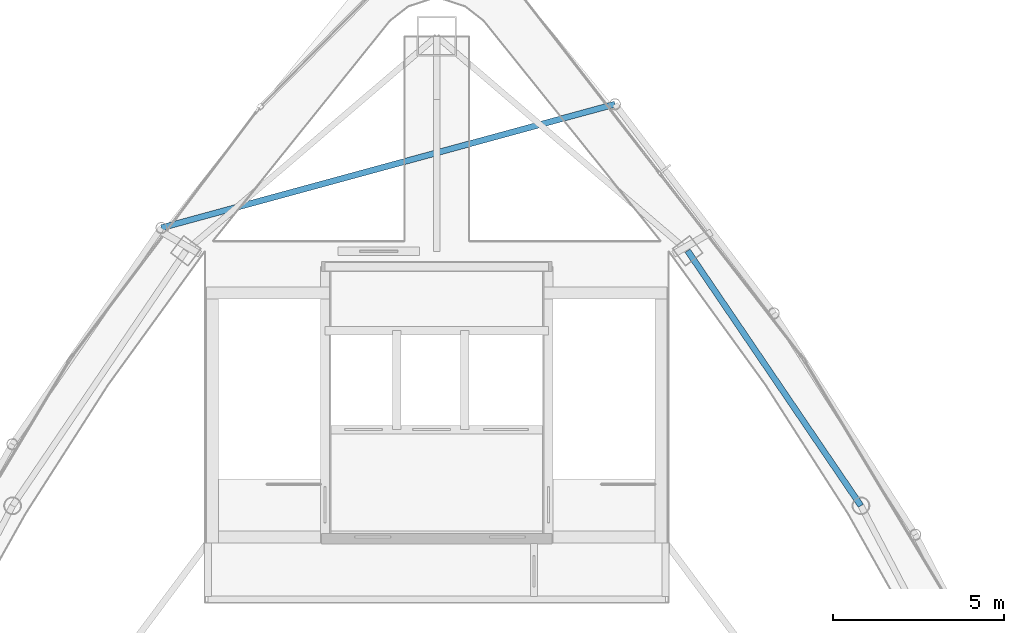
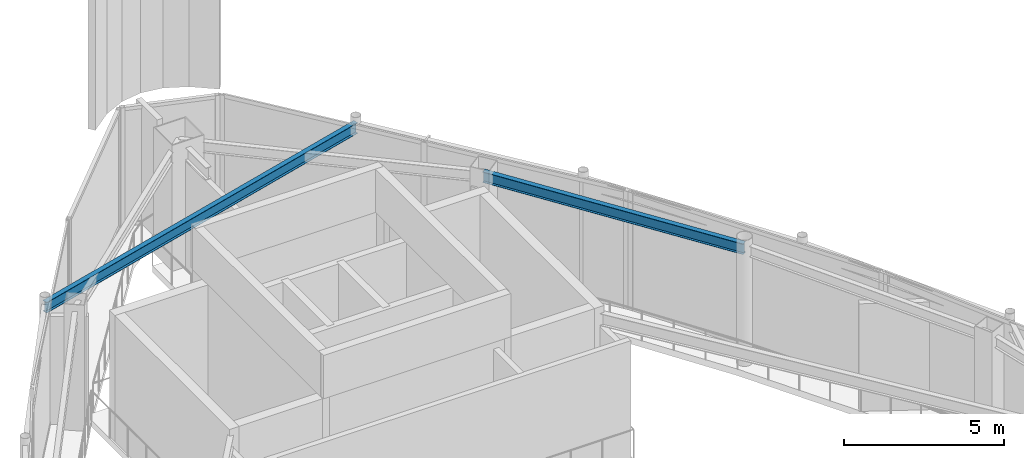
# One storey, part 9 of 18: 2 beams.
"""IFC4 building model written with IfcOpenShell, lengths in metres."""

from ifc_helpers import new_model, si_unit, direction, frame, origin, origin_2d, place, context, subcontext, project, spatial, i_section, extrude, material, material_profile, profile_set, type_object, element, save


model = new_model("IFC4")

# Units and contexts
model_context = context("Model", 3, precision=1e-05, world=origin(), true_north=direction((0.0, 1.0)))
body_context = subcontext(model_context, "Body", "Model", "MODEL_VIEW")
ifc_project = project(units=[si_unit("LENGTHUNIT", "METRE"), si_unit("AREAUNIT", "SQUARE_METRE"), si_unit("VOLUMEUNIT", "CUBIC_METRE"), si_unit("PLANEANGLEUNIT", "RADIAN"), si_unit("MASSUNIT", "GRAM", prefix="KILO")], contexts=[model_context])

# Site, building, storey
site_placement = place(None, origin())
site = spatial("IfcSite", under=ifc_project, at=site_placement, CompositionType="ELEMENT")
building_placement = place(site_placement, origin())
building = spatial("IfcBuilding", under=site, at=building_placement, Name="Orvanel Arch Residences", CompositionType="ELEMENT")
storey_placement = place(building_placement, frame((0.0, 0.0, 310.10009765625)))
storey = spatial("IfcBuildingStorey", under=building, at=storey_placement, Name="L86", CompositionType="ELEMENT", Elevation=310.10009765625)

# Beams
ifc_material = material(Name="Structural steel AS/NZS 3679.1 Grade 300 (300 MPa)", Category="steel")
ifc_material_profile_1 = material_profile(ifc_material, i_section(OverallWidth=0.177978515625, OverallDepth=0.406005859375, WebThickness=0.0078125, FlangeThickness=0.0126953125, at=origin_2d()), Name="410UB59.7")
ifc_profile_set_1 = profile_set([ifc_material_profile_1], Name="Structural steel AS/NZS 3679.1 Grade 300 (300 MPa)")
beam_type_1 = type_object("IfcBeamType", Name="OB-410UB", PredefinedType="SPANDREL", material=ifc_profile_set_1)
beam_1_placement = place(storey_placement, frame((45.430908203125, 27.64111328125, 4.3369140625), z_axis=(-0.562154793153, 0.827032035978, 0.0), x_axis=(-0.827032035978, -0.562154793153, 0.0)))
element("IfcBeam", 1, at=beam_1_placement, inside=storey, type_object=beam_type_1, Name="L86 Perimeter Spandrel Beam 08", PredefinedType="SPANDREL", context=body_context, shape_type="SweptSolid", body=[
    extrude(i_section(OverallWidth=0.177978515625, OverallDepth=0.406005859375, WebThickness=0.0078125, FlangeThickness=0.0126953125, at=origin_2d()), origin(), (0.0, 0.0, 1.0), 9.03466796875),
])
ifc_material_profile_2 = material_profile(ifc_material, i_section(OverallWidth=0.177978515625, OverallDepth=0.406005859375, WebThickness=0.0078125, FlangeThickness=0.0126953125, at=origin_2d()), Name="410UB59.7")
ifc_profile_set_2 = profile_set([ifc_material_profile_2], Name="Structural steel AS/NZS 3679.1 Grade 300 (300 MPa)")
beam_type_2 = type_object("IfcBeamType", Name="OB-410UB-EXT", PredefinedType="SPANDREL", material=ifc_profile_set_2)
beam_2_placement = place(storey_placement, frame((38.22412109375, 39.409912109375, 4.3369140625), z_axis=(-0.964794480335, -0.263004963291, 0.0), x_axis=(0.263004963291, -0.964794480335, 0.0)))
element("IfcBeam", 2, at=beam_2_placement, inside=storey, type_object=beam_type_2, Name="L86 Outer Perimeter Floor Ring Beam 12", PredefinedType="SPANDREL", context=body_context, shape_type="SweptSolid", body=[
    extrude(i_section(OverallWidth=0.177978515625, OverallDepth=0.406005859375, WebThickness=0.0078125, FlangeThickness=0.0126953125, at=origin_2d()), origin(), (0.0, 0.0, 1.0), 13.779296875),
])

save(model, "model.ifc")
